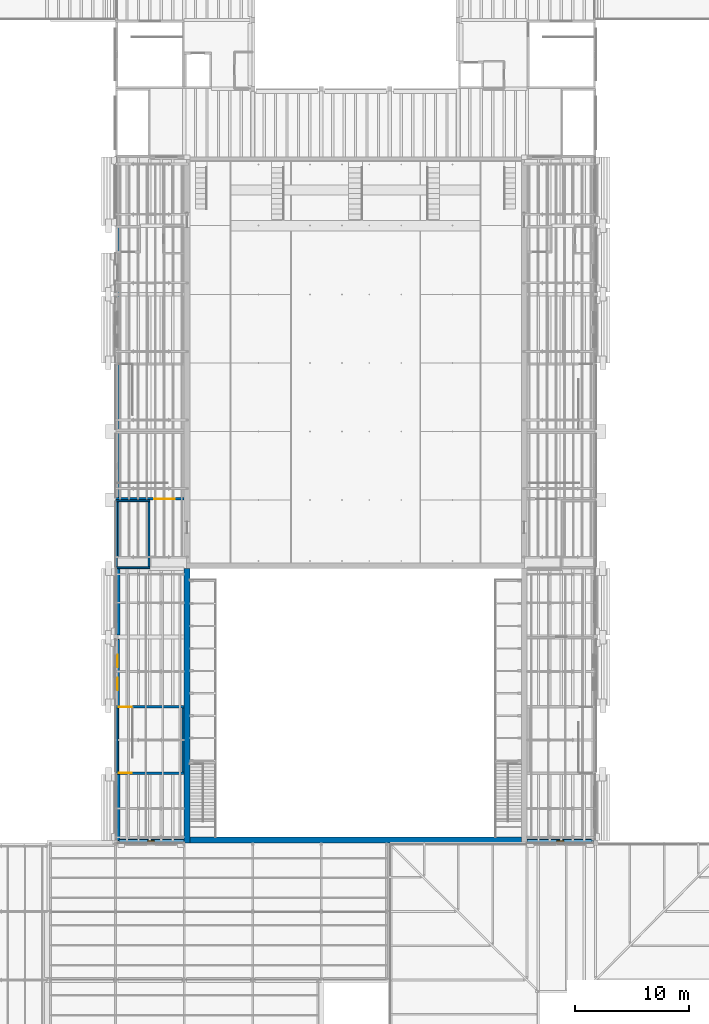
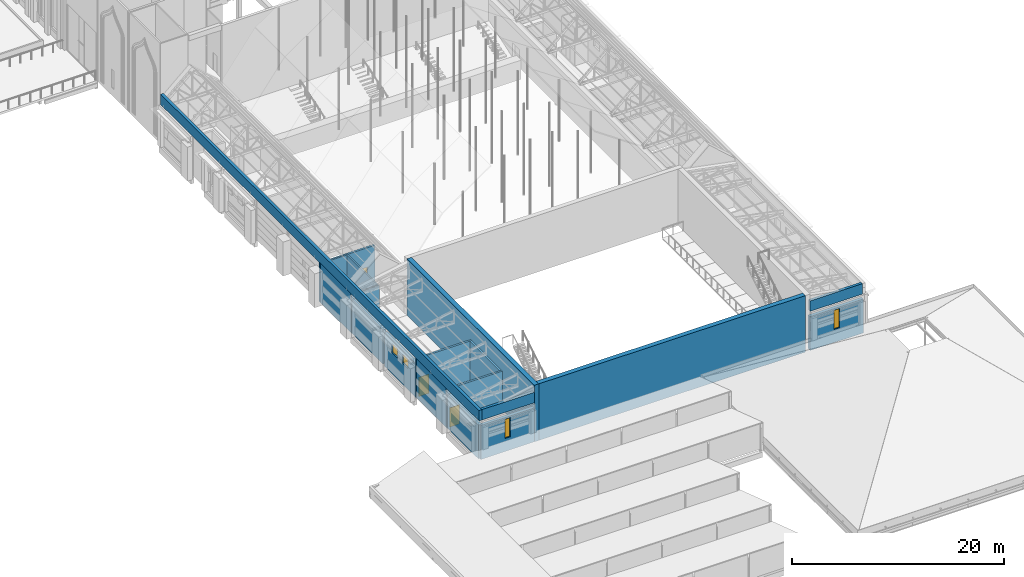
# One storey, part 60 of 118: 19 walls, 4 windows, 3 doors, 7 openings.
"""IFC4 building model written with IfcOpenShell, lengths in metres."""

from ifc_helpers import new_model, si_unit, direction, frame, frame_2d, origin, place, context, subcontext, project, spatial, rectangle, extrude, material, layer, layer_set, type_object, element, fill, save


model = new_model("IFC4")

# Units and contexts
model_context = context("Model", 3, precision=1e-05, world=origin(), true_north=direction((0.0, 1.0)))
body_context = subcontext(model_context, "Body", "Model", "MODEL_VIEW")
ifc_project = project(units=[si_unit("LENGTHUNIT", "METRE"), si_unit("AREAUNIT", "SQUARE_METRE"), si_unit("VOLUMEUNIT", "CUBIC_METRE"), si_unit("PLANEANGLEUNIT", "RADIAN"), si_unit("MASSUNIT", "GRAM", prefix="KILO")], contexts=[model_context])

# Site, building, storey
site_placement = place(None, origin())
site = spatial("IfcSite", under=ifc_project, at=site_placement, CompositionType="ELEMENT")
building_placement = place(site_placement, origin())
building = spatial("IfcBuilding", under=site, at=building_placement, Name="Saffron Lane Theatres", CompositionType="ELEMENT")
storey_placement = place(building_placement, frame((0.0, 0.0, 16.5)))
storey = spatial("IfcBuildingStorey", under=building, at=storey_placement, Name="L03", CompositionType="ELEMENT", Elevation=16.5)

# Walls
ifc_material_1 = material(Name="Masonry pale clay brick", Category="masonry")
ifc_layer_1 = layer(ifc_material_1, 0.11, Name="outer leaf")
ifc_layer_2 = layer(ifc_material_1, 0.08, Name="core")
ifc_layer_3 = layer(ifc_material_1, 0.11, Name="inner leaf")
ifc_layer_set_1 = layer_set([ifc_layer_1, ifc_layer_2, ifc_layer_3], Name="Masonry pale clay brick")
wall_type_1 = type_object("IfcWallType", Name="EX-PARAPET BRICK 300", PredefinedType="PARAPET", material=ifc_layer_set_1)
wall_1_placement = place(storey_placement, frame((12.14990234375, 30.0, 4.5), z_axis=(0.0, 0.0, 1.0), x_axis=(0.0, 1.0, 0.0)))
element("IfcWall", 1, at=wall_1_placement, inside=storey, type_object=wall_type_1, Name="Parapet flank roof", PredefinedType="PARAPET", context=body_context, shape_type="SweptSolid", body=[
    extrude(rectangle(XDim=60.0, YDim=0.300048828125, at=frame_2d((30.0, 0.0))), origin(), (0.0, 0.0, 1.0), 1.199951171875),
])
for number, where, z_axis, x_axis, name in (
    (2, (12.300048828125, 30.14990234375, 4.5), (0.0, 0.0, 1.0), (1.0, 0.0, 0.0), "Parapet flank roof"),
    (3, (53.699951171875, 30.14990234375, 4.5), (0.0, 0.0, 1.0), (-1.0, 0.0, 0.0), "Parapet flank roof"),
):
    element("IfcWall", number, at=place(storey_placement, frame(where, z_axis=z_axis, x_axis=x_axis)), inside=storey, type_object=wall_type_1, Name=name, PredefinedType="PARAPET", context=body_context, shape_type="SweptSolid", body=[
        extrude(rectangle(XDim=5.699951171875, YDim=0.300048828125, at=frame_2d((2.85009765625, 0.0))), origin(), (0.0, 0.0, 1.0), 1.199951171875),
    ])

# Wall, opening, window
ifc_material_2 = material(Name="Masonry pale clay brick", Category="masonry")
ifc_layer_4 = layer(ifc_material_2, 0.35009765625)
ifc_layer_set_2 = layer_set([ifc_layer_4], Name="Masonry pale clay brick")
wall_type_2 = type_object("IfcWallType", Name="EX-WALL BRICK 350", PredefinedType="SOLIDWALL", material=ifc_layer_set_2)
wall_2_placement = place(storey_placement, frame((53.800048828125, 30.175048828125, 0.0), z_axis=(0.0, 0.0, 1.0), x_axis=(-1.0, 0.0, 0.0)))
wall_2 = element("IfcWall", 4, at=wall_2_placement, inside=storey, type_object=wall_type_2, Name="External wall L03 21", PredefinedType="SOLIDWALL", context=body_context, shape_type="SweptSolid", body=[
    extrude(rectangle(XDim=5.800048828125, YDim=0.35009765625, at=frame_2d((2.89990234375, 0.0))), origin(), (0.0, 0.0, 1.0), 3.89990234375),
])
opening_1_placement = place(wall_2_placement, frame((2.60009765625, 0.0, 1.5)))
opening_1 = element("IfcOpeningElement", 5, at=opening_1_placement, cuts=wall_2, Name="Opening WN03-038", PredefinedType="OPENING", context=body_context, shape_type="SweptSolid", body=[
    extrude(rectangle(XDim=0.60009765625, YDim=2.199951171875, at=frame_2d((0.300048828125, 1.10009765625))), frame((0.0, 0.18505859375, 0.0), z_axis=(0.0, -1.0, 0.0), x_axis=(1.0, 0.0, 0.0)), (0.0, 0.0, 1.0), 0.3701171875),
])
ifc_material_3 = material(Name="Aluminium", Category="aluminium")
window_type_1 = type_object("IfcWindowType", Name="EX-WINDOW 600x2200", PartitioningType="SINGLE_PANEL", PredefinedType="WINDOW", material=ifc_material_3)
window_1_placement = place(opening_1_placement, origin())
window_1 = element("IfcWindow", 6, at=window_1_placement, inside=storey, type_object=window_type_1, Name="Window L03 038", OverallHeight=2.199951171875, OverallWidth=0.60009765625, PartitioningType="SINGLE_PANEL", PredefinedType="WINDOW", context=body_context, shape_type="SweptSolid", body=[
    extrude(rectangle(XDim=0.60009765625, YDim=2.199951171875, at=frame_2d((0.300048828125, 1.10009765625))), frame((0.0, 0.030029296875, 0.0), z_axis=(0.0, -1.0, 0.0), x_axis=(1.0, 0.0, 0.0)), (0.0, 0.0, 1.0), 0.06005859375),
])
fill(opening_1, window_1)

wall_3_placement = place(storey_placement, frame((18.0, 30.175048828125, 0.0), z_axis=(0.0, 0.0, 1.0), x_axis=(-1.0, 0.0, 0.0)))
wall_3 = element("IfcWall", 7, at=wall_3_placement, inside=storey, type_object=wall_type_2, Name="External wall L03 22", PredefinedType="SOLIDWALL", context=body_context, shape_type="SweptSolid", body=[
    extrude(rectangle(XDim=5.800048828125, YDim=0.35009765625, at=frame_2d((2.89990234375, 0.0))), origin(), (0.0, 0.0, 1.0), 3.89990234375),
])
opening_2_placement = place(wall_3_placement, frame((2.60009765625, 0.0, 1.5)))
opening_2 = element("IfcOpeningElement", 8, at=opening_2_placement, cuts=wall_3, Name="Opening WN03-039", PredefinedType="OPENING", context=body_context, shape_type="SweptSolid", body=[
    extrude(rectangle(XDim=0.60009765625, YDim=2.199951171875, at=frame_2d((0.300048828125, 1.10009765625))), frame((0.0, 0.18505859375, 0.0), z_axis=(0.0, -1.0, 0.0), x_axis=(1.0, 0.0, 0.0)), (0.0, 0.0, 1.0), 0.3701171875),
])
window_2_placement = place(opening_2_placement, origin())
window_2 = element("IfcWindow", 9, at=window_2_placement, inside=storey, type_object=window_type_1, Name="Window L03 039", OverallHeight=2.199951171875, OverallWidth=0.60009765625, PartitioningType="SINGLE_PANEL", PredefinedType="WINDOW", context=body_context, shape_type="SweptSolid", body=[
    extrude(rectangle(XDim=0.60009765625, YDim=2.199951171875, at=frame_2d((0.300048828125, 1.10009765625))), frame((0.0, 0.030029296875, 0.0), z_axis=(0.0, -1.0, 0.0), x_axis=(1.0, 0.0, 0.0)), (0.0, 0.0, 1.0), 0.06005859375),
])
fill(opening_2, window_2)

# Wall
wall_4_placement = place(storey_placement, frame((12.22509765625, 30.199951171875, 0.0), z_axis=(0.0, 0.0, 1.0), x_axis=(0.0, 1.0, 0.0)))
element("IfcWall", 10, at=wall_4_placement, inside=storey, type_object=wall_type_2, Name="External wall L03 23", PredefinedType="SOLIDWALL", context=body_context, shape_type="SweptSolid", body=[
    extrude(rectangle(XDim=5.800048828125, YDim=0.35009765625, at=frame_2d((2.89990234375, 0.0))), origin(), (0.0, 0.0, 1.0), 3.89990234375),
])

# Wall, openings, windows
wall_5_placement = place(storey_placement, frame((12.175048828125, 42.0, 0.0), z_axis=(0.0, 0.0, 1.0), x_axis=(0.0, 1.0, 0.0)))
wall_5 = element("IfcWall", 11, at=wall_5_placement, inside=storey, type_object=wall_type_2, Name="External wall L03 24", PredefinedType="SOLIDWALL", context=body_context, shape_type="SweptSolid", body=[
    extrude(rectangle(XDim=5.800048828125, YDim=0.35009765625, at=frame_2d((2.89990234375, 0.0))), origin(), (0.0, 0.0, 1.0), 3.89990234375),
])
opening_3_placement = place(wall_5_placement, frame((1.35009765625, 0.0, 2.39990234375)))
opening_3 = element("IfcOpeningElement", 12, at=opening_3_placement, cuts=wall_5, Name="Opening WN03-040", PredefinedType="OPENING", context=body_context, shape_type="SweptSolid", body=[
    extrude(rectangle(XDim=1.10009765625, YDim=1.10009765625, at=frame_2d((0.550048828125, 0.550048828125))), frame((0.0, 0.18505859375, 0.0), z_axis=(0.0, -1.0, 0.0), x_axis=(1.0, 0.0, 0.0)), (0.0, 0.0, 1.0), 0.3701171875),
])
opening_4_placement = place(wall_5_placement, frame((3.35009765625, 0.0, 2.39990234375)))
opening_4 = element("IfcOpeningElement", 13, at=opening_4_placement, cuts=wall_5, Name="Opening WN03-041", PredefinedType="OPENING", context=body_context, shape_type="SweptSolid", body=[
    extrude(rectangle(XDim=1.10009765625, YDim=1.10009765625, at=frame_2d((0.550048828125, 0.550048828125))), frame((0.0, 0.18505859375, 0.0), z_axis=(0.0, -1.0, 0.0), x_axis=(1.0, 0.0, 0.0)), (0.0, 0.0, 1.0), 0.3701171875),
])
ifc_material_4 = material(Name="Aluminium", Category="aluminium")
window_type_2 = type_object("IfcWindowType", Name="EX-WINDOW 1100x1100", PartitioningType="SINGLE_PANEL", PredefinedType="WINDOW", material=ifc_material_4)
window_3_placement = place(opening_3_placement, origin())
window_3 = element("IfcWindow", 14, at=window_3_placement, inside=storey, type_object=window_type_2, Name="Window L03 040", OverallHeight=1.10009765625, OverallWidth=1.10009765625, PartitioningType="SINGLE_PANEL", PredefinedType="WINDOW", context=body_context, shape_type="SweptSolid", body=[
    extrude(rectangle(XDim=1.10009765625, YDim=1.10009765625, at=frame_2d((0.550048828125, 0.550048828125))), frame((0.0, 0.030029296875, 0.0), z_axis=(0.0, -1.0, 0.0), x_axis=(1.0, 0.0, 0.0)), (0.0, 0.0, 1.0), 0.06005859375),
])
fill(opening_3, window_3)
window_4_placement = place(opening_4_placement, origin())
window_4 = element("IfcWindow", 15, at=window_4_placement, inside=storey, type_object=window_type_2, Name="Window L03 041", OverallHeight=1.10009765625, OverallWidth=1.10009765625, PartitioningType="SINGLE_PANEL", PredefinedType="WINDOW", context=body_context, shape_type="SweptSolid", body=[
    extrude(rectangle(XDim=1.10009765625, YDim=1.10009765625, at=frame_2d((0.550048828125, 0.550048828125))), frame((0.0, 0.030029296875, 0.0), z_axis=(0.0, -1.0, 0.0), x_axis=(1.0, 0.0, 0.0)), (0.0, 0.0, 1.0), 0.06005859375),
])
fill(opening_4, window_4)

# Walls
wall_6_placement = place(storey_placement, frame((12.22509765625, 48.199951171875, 0.0), z_axis=(0.0, 0.0, 1.0), x_axis=(0.0, 1.0, 0.0)))
element("IfcWall", 16, at=wall_6_placement, inside=storey, type_object=wall_type_2, Name="External wall L03 25", PredefinedType="SOLIDWALL", context=body_context, shape_type="SweptSolid", body=[
    extrude(rectangle(XDim=5.800048828125, YDim=0.35009765625, at=frame_2d((2.89990234375, 0.0))), origin(), (0.0, 0.0, 1.0), 3.89990234375),
])
ifc_material_5 = material(Name="Concrete N50 (50 MPa)", Category="concrete")
ifc_layer_5 = layer(ifc_material_5, 0.14990234375)
ifc_layer_set_3 = layer_set([ifc_layer_5], Name="Concrete N50 (50 MPa)")
wall_type_3 = type_object("IfcWallType", Name="RC-CORE 150", PredefinedType="SHEAR", material=ifc_layer_set_3)
for number, where, z_axis, x_axis, name in (
    (17, (12.0, 59.925048828125, 0.0), (0.0, 0.0, 1.0), (1.0, 0.0, 0.0), "W-R3-N-L03"),
    (18, (12.0, 54.074951171875, 0.0), (0.0, 0.0, 1.0), (1.0, 0.0, 0.0), "W-R3-S-L03"),
):
    element("IfcWall", number, at=place(storey_placement, frame(where, z_axis=z_axis, x_axis=x_axis)), inside=storey, type_object=wall_type_3, Name=name, PredefinedType="SHEAR", context=body_context, shape_type="SweptSolid", body=[
        extrude(rectangle(XDim=3.0, YDim=0.14990234375, at=frame_2d((1.5, 0.0))), origin(), (0.0, 0.0, 1.0), 4.5),
    ])
wall_7_placement = place(storey_placement, frame((14.925048828125, 54.14990234375, 0.0), z_axis=(0.0, 0.0, 1.0), x_axis=(0.0, 1.0, 0.0)))
element("IfcWall", 19, at=wall_7_placement, inside=storey, type_object=wall_type_3, Name="W-R3-E-L03", PredefinedType="SHEAR", context=body_context, shape_type="SweptSolid", body=[
    extrude(rectangle(XDim=5.7001953125, YDim=0.14990234375, at=frame_2d((2.85009765625, 0.0))), origin(), (0.0, 0.0, 1.0), 4.5),
])

# Wall, opening, door
ifc_material_6 = material(Name="Concrete N50 (50 MPa)", Category="concrete")
ifc_layer_6 = layer(ifc_material_6, 0.199951171875)
ifc_layer_set_4 = layer_set([ifc_layer_6], Name="Concrete N50 (50 MPa)")
wall_type_4 = type_object("IfcWallType", Name="RC-CORE 200", PredefinedType="SHEAR", material=ifc_layer_set_4)
wall_8_placement = place(storey_placement, frame((12.0, 60.10009765625, 0.0), z_axis=(0.0, 0.0, 1.0), x_axis=(1.0, 0.0, 0.0)))
wall_8 = element("IfcWall", 20, at=wall_8_placement, inside=storey, type_object=wall_type_4, Name="W-ST10-S-L03", PredefinedType="SHEAR", context=body_context, shape_type="SweptSolid", body=[
    extrude(rectangle(XDim=6.0, YDim=0.199951171875, at=frame_2d((3.0, 0.0))), origin(), (0.0, 0.0, 1.0), 4.422119140625),
])
opening_5_placement = place(wall_8_placement, frame((3.375, 0.0, 0.0)))
opening_5 = element("IfcOpeningElement", 21, at=opening_5_placement, cuts=wall_8, Name="Opening D03-16", PredefinedType="OPENING", context=body_context, shape_type="SweptSolid", body=[
    extrude(rectangle(XDim=1.800048828125, YDim=2.199951171875, at=frame_2d((0.89990234375, 1.10009765625))), frame((0.0, 0.10986328125, 0.0), z_axis=(0.0, -1.0, 0.0), x_axis=(1.0, 0.0, 0.0)), (0.0, 0.0, 1.0), 0.219970703125),
])
ifc_material_7 = material(Name="Steel faced fire door leaf", Category="steel")
door_type_1 = type_object("IfcDoorType", Name="IN-DOOR 1800x2200 FD120", OperationType="DOUBLE_DOOR_SINGLE_SWING", PredefinedType="DOOR", material=ifc_material_7)
door_1_placement = place(opening_5_placement, origin())
door_1 = element("IfcDoor", 22, at=door_1_placement, inside=storey, type_object=door_type_1, Name="D03-16", OperationType="DOUBLE_DOOR_SINGLE_SWING", OverallHeight=2.199951171875, OverallWidth=1.800048828125, PredefinedType="DOOR", context=body_context, shape_type="SweptSolid", body=[
    extrude(rectangle(XDim=1.800048828125, YDim=2.199951171875, at=frame_2d((0.89990234375, 1.10009765625))), frame((0.0, 0.02490234375, 0.0), z_axis=(0.0, -1.0, 0.0), x_axis=(1.0, 0.0, 0.0)), (0.0, 0.0, 1.0), 0.050048828125),
])
fill(opening_5, door_1)

wall_9_placement = place(storey_placement, frame((12.0, 41.89990234375, 0.0), z_axis=(0.0, 0.0, 1.0), x_axis=(1.0, 0.0, 0.0)))
wall_9 = element("IfcWall", 23, at=wall_9_placement, inside=storey, type_object=wall_type_4, Name="W-ST5-N-L03", PredefinedType="SHEAR", context=body_context, shape_type="SweptSolid", body=[
    extrude(rectangle(XDim=6.0, YDim=0.199951171875, at=frame_2d((3.0, 0.0))), origin(), (0.0, 0.0, 1.0), 4.5),
])
opening_6_placement = place(wall_9_placement, frame((0.300048828125, 0.0, 0.0)))
opening_6 = element("IfcOpeningElement", 24, at=opening_6_placement, cuts=wall_9, Name="Opening D03-19", PredefinedType="OPENING", context=body_context, shape_type="SweptSolid", body=[
    extrude(rectangle(XDim=1.10009765625, YDim=2.199951171875, at=frame_2d((0.550048828125, 1.10009765625))), frame((0.0, 0.10986328125, 0.0), z_axis=(0.0, -1.0, 0.0), x_axis=(1.0, 0.0, 0.0)), (0.0, 0.0, 1.0), 0.219970703125),
])
ifc_material_8 = material(Name="Steel faced fire door leaf", Category="steel")
door_type_2 = type_object("IfcDoorType", Name="IN-DOOR 1100x2200 FD120", OperationType="NOTDEFINED", PredefinedType="DOOR", material=ifc_material_8)
door_2_placement = place(opening_6_placement, frame((1.10009765625, 0.0, 0.0), z_axis=(0.0, 0.0, 1.0), x_axis=(-1.0, 0.0, 0.0)))
door_2 = element("IfcDoor", 25, at=door_2_placement, inside=storey, type_object=door_type_2, Name="D03-19", OperationType="SINGLE_SWING_LEFT", OverallHeight=2.199951171875, OverallWidth=1.10009765625, PredefinedType="DOOR", context=body_context, shape_type="SweptSolid", body=[
    extrude(rectangle(XDim=1.10009765625, YDim=2.199951171875, at=frame_2d((0.550048828125, 1.10009765625))), frame((0.0, 0.02490234375, 0.0), z_axis=(0.0, -1.0, 0.0), x_axis=(1.0, 0.0, 0.0)), (0.0, 0.0, 1.0), 0.050048828125),
])
fill(opening_6, door_2)

wall_10_placement = place(storey_placement, frame((12.0, 36.10009765625, 0.0), z_axis=(0.0, 0.0, 1.0), x_axis=(1.0, 0.0, 0.0)))
wall_10 = element("IfcWall", 26, at=wall_10_placement, inside=storey, type_object=wall_type_4, Name="W-ST5-S-L03", PredefinedType="SHEAR", context=body_context, shape_type="SweptSolid", body=[
    extrude(rectangle(XDim=6.0, YDim=0.199951171875, at=frame_2d((3.0, 0.0))), origin(), (0.0, 0.0, 1.0), 4.5),
])
opening_7_placement = place(wall_10_placement, frame((0.300048828125, 0.0, 0.0)))
opening_7 = element("IfcOpeningElement", 27, at=opening_7_placement, cuts=wall_10, Name="Opening D03-18", PredefinedType="OPENING", context=body_context, shape_type="SweptSolid", body=[
    extrude(rectangle(XDim=1.10009765625, YDim=2.199951171875, at=frame_2d((0.550048828125, 1.10009765625))), frame((0.0, 0.10986328125, 0.0), z_axis=(0.0, -1.0, 0.0), x_axis=(1.0, 0.0, 0.0)), (0.0, 0.0, 1.0), 0.219970703125),
])
door_3_placement = place(opening_7_placement, origin())
door_3 = element("IfcDoor", 28, at=door_3_placement, inside=storey, type_object=door_type_2, Name="D03-18", OperationType="SINGLE_SWING_RIGHT", OverallHeight=2.199951171875, OverallWidth=1.10009765625, PredefinedType="DOOR", context=body_context, shape_type="SweptSolid", body=[
    extrude(rectangle(XDim=1.10009765625, YDim=2.199951171875, at=frame_2d((0.550048828125, 1.10009765625))), frame((0.0, 0.02490234375, 0.0), z_axis=(0.0, -1.0, 0.0), x_axis=(1.0, 0.0, 0.0)), (0.0, 0.0, 1.0), 0.050048828125),
])
fill(opening_7, door_3)

# Walls
wall_11_placement = place(storey_placement, frame((17.89990234375, 36.199951171875, 0.0), z_axis=(0.0, 0.0, 1.0), x_axis=(0.0, 1.0, 0.0)))
element("IfcWall", 29, at=wall_11_placement, inside=storey, type_object=wall_type_4, Name="W-ST5-E-L03", PredefinedType="SHEAR", context=body_context, shape_type="SweptSolid", body=[
    extrude(rectangle(XDim=5.60009765625, YDim=0.199951171875, at=frame_2d((2.800048828125, 0.0))), origin(), (0.0, 0.0, 1.0), 4.5),
])
ifc_material_9 = material(Name="Concrete N50 (50 MPa)", Category="concrete")
ifc_layer_7 = layer(ifc_material_9, 0.14990234375)
ifc_layer_set_5 = layer_set([ifc_layer_7], Name="Concrete N50 (50 MPa)")
wall_type_5 = type_object("IfcWallType", Name="RC-CORE EXTERNAL 150", PredefinedType="SHEAR", material=ifc_layer_set_5)
wall_12_placement = place(storey_placement, frame((12.074951171875, 54.14990234375, 0.0), z_axis=(0.0, 0.0, 1.0), x_axis=(0.0, 1.0, 0.0)))
element("IfcWall", 30, at=wall_12_placement, inside=storey, type_object=wall_type_5, Name="W-R3-W-L03", PredefinedType="SHEAR", context=body_context, shape_type="SweptSolid", body=[
    extrude(rectangle(XDim=5.7001953125, YDim=0.14990234375, at=frame_2d((2.85009765625, 0.0))), origin(), (0.0, 0.0, 1.0), 4.5),
])
ifc_material_10 = material(Name="Concrete N50 (50 MPa)", Category="concrete")
ifc_layer_8 = layer(ifc_material_10, 0.199951171875)
ifc_layer_set_6 = layer_set([ifc_layer_8], Name="Concrete N50 (50 MPa)")
wall_type_6 = type_object("IfcWallType", Name="RC-CORE EXTERNAL 200", PredefinedType="SHEAR", material=ifc_layer_set_6)
wall_13_placement = place(storey_placement, frame((12.10009765625, 36.199951171875, 0.0), z_axis=(0.0, 0.0, 1.0), x_axis=(0.0, 1.0, 0.0)))
element("IfcWall", 31, at=wall_13_placement, inside=storey, type_object=wall_type_6, Name="W-ST5-W-L03", PredefinedType="SHEAR", context=body_context, shape_type="SweptSolid", body=[
    extrude(rectangle(XDim=5.60009765625, YDim=0.199951171875, at=frame_2d((2.800048828125, 0.0))), origin(), (0.0, 0.0, 1.0), 4.5),
])
ifc_material_11 = material(Name="Concrete N50 (50 MPa)", Category="concrete")
ifc_layer_9 = layer(ifc_material_11, 0.5)
ifc_layer_set_7 = layer_set([ifc_layer_9], Name="Concrete N50 (50 MPa)")
wall_type_7 = type_object("IfcWallType", Name="RC-WALL 500", PredefinedType="SHEAR", material=ifc_layer_set_7)
wall_14_placement = place(storey_placement, frame((18.25, 30.0, 0.0), z_axis=(0.0, 0.0, 1.0), x_axis=(0.0, 1.0, 0.0)))
element("IfcWall", 32, at=wall_14_placement, inside=storey, type_object=wall_type_7, Name="W-STGS-W-L03", PredefinedType="SHEAR", context=body_context, shape_type="SweptSolid", body=[
    extrude(rectangle(XDim=24.0, YDim=0.5, at=frame_2d((12.0, 0.0))), origin(), (0.0, 0.0, 1.0), 6.5),
])
wall_15_placement = place(storey_placement, frame((18.5, 30.25, 0.0), z_axis=(0.0, 0.0, 1.0), x_axis=(1.0, 0.0, 0.0)))
element("IfcWall", 33, at=wall_15_placement, inside=storey, type_object=wall_type_7, Name="W-BACK-L03", PredefinedType="SHEAR", context=body_context, shape_type="SweptSolid", body=[
    extrude(rectangle(XDim=29.0, YDim=0.5, at=frame_2d((14.5, 0.0))), origin(), (0.0, 0.0, 1.0), 6.5),
])

save(model, "model.ifc")
